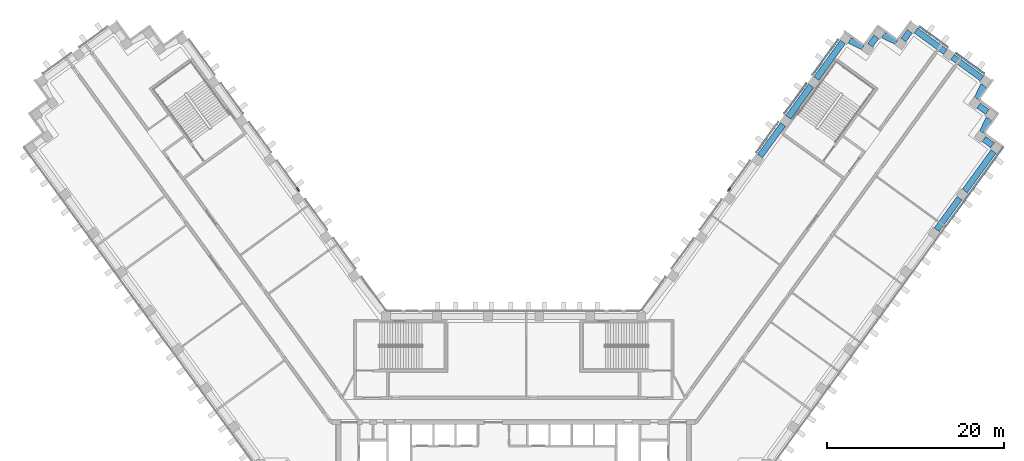
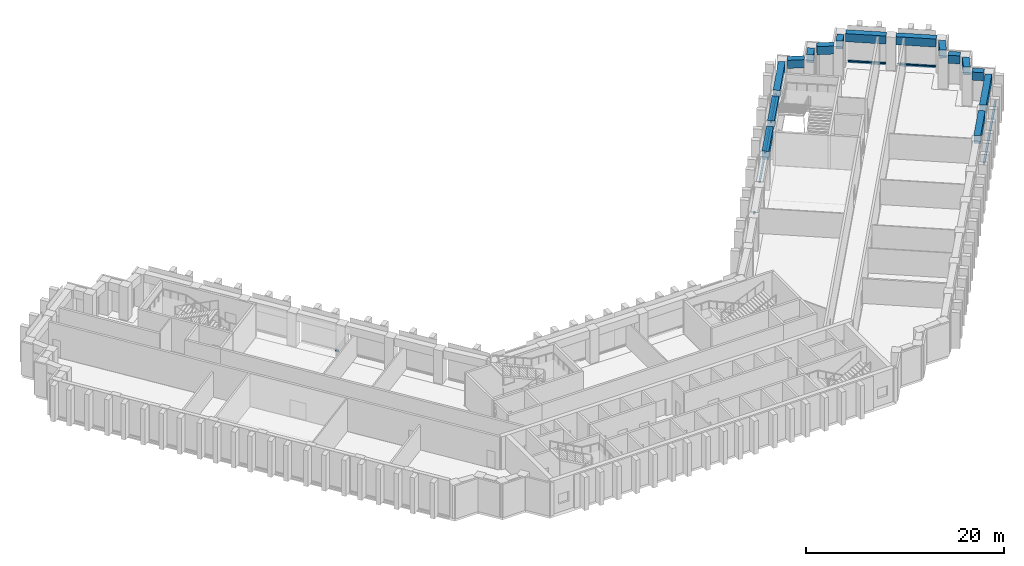
"""IFC4 building model written with IfcOpenShell, lengths in metres."""

from ifc_helpers import new_model, si_unit, direction, frame, origin, origin_2d, place, context, subcontext, project, spatial, rectangle, extrude, material, material_profile, profile_set, type_object, element, aggregate, save


model = new_model("IFC4")

# Units and contexts
model_context = context("Model", 3, precision=1e-05, world=origin(), true_north=direction((0.0, 1.0)))
body_context = subcontext(model_context, "Body", "Model", "MODEL_VIEW")
ifc_project = project(units=[si_unit("LENGTHUNIT", "METRE"), si_unit("AREAUNIT", "SQUARE_METRE"), si_unit("VOLUMEUNIT", "CUBIC_METRE"), si_unit("PLANEANGLEUNIT", "RADIAN"), si_unit("MASSUNIT", "GRAM", prefix="KILO")], contexts=[model_context])

# Site, building, storey
site_placement = place(None, origin())
site = spatial("IfcSite", under=ifc_project, at=site_placement, CompositionType="ELEMENT")
building_placement = place(site_placement, origin())
building = spatial("IfcBuilding", under=site, at=building_placement, Name="Quipu Civic Tower", CompositionType="ELEMENT")
storey_1_placement = place(building_placement, frame((0.0, 0.0, 11.5)))
storey_1 = spatial("IfcBuildingStorey", under=building, at=storey_1_placement, Name="L02", CompositionType="ELEMENT", Elevation=11.5)

# Beams
ifc_material_1 = material(Name="Concrete C50/60", Category="concrete")
ifc_material_profile_1 = material_profile(ifc_material_1, rectangle(XDim=0.699951171875, YDim=1.0, at=origin_2d()), Name="RC700x1000")
ifc_profile_set_1 = profile_set([ifc_material_profile_1], Name="Concrete C50/60")
beam_type = type_object("IfcBeamType", Name="Spandrel beam RC 700x1000 C50/60", PredefinedType="SPANDREL", material=ifc_profile_set_1)
beam_1_placement = place(storey_1_placement, frame((47.71240234375, 20.279296875, 3.60009765625), z_axis=(0.587759228046, 0.809035901457, 0.0), x_axis=(-0.809035901457, 0.587759228046, 0.0)))
element("IfcBeam", 1, at=beam_1_placement, inside=storey_1, type_object=beam_type, Name="Spandrel beam L02 E-OUT-06 to E-OUT-07", PredefinedType="SPANDREL", context=body_context, shape_type="SweptSolid", body=[
    extrude(rectangle(XDim=0.699951171875, YDim=1.0, at=origin_2d()), origin(), (0.0, 0.0, 1.0), 4.400146484375),
])
beam_2_placement = place(storey_1_placement, frame((50.88623046875, 24.64794921875, 3.60009765625), z_axis=(0.587765432916, 0.809031393624, 0.0), x_axis=(-0.809031393624, 0.587765432916, 0.0)))
element("IfcBeam", 2, at=beam_2_placement, inside=storey_1, type_object=beam_type, Name="Spandrel beam L02 E-OUT-07 to T-Eo.0-E50", PredefinedType="SPANDREL", context=body_context, shape_type="SweptSolid", body=[
    extrude(rectangle(XDim=0.699951171875, YDim=1.0, at=origin_2d()), origin(), (0.0, 0.0, 1.0), 5.503662109375),
])
beam_3_placement = place(storey_1_placement, frame((54.0107421875, 29.79931640625, 3.60009765625), z_axis=(-0.808630508091, 0.588316837584, 0.0), x_axis=(-0.588316837584, -0.808630508091, 0.0)))
element("IfcBeam", 3, at=beam_3_placement, inside=storey_1, type_object=beam_type, Name="Spandrel beam L02 T-Eo.0-E50 to T-Eo.1-E50", PredefinedType="SPANDREL", context=body_context, shape_type="SweptSolid", body=[
    extrude(rectangle(XDim=0.699951171875, YDim=1.0, at=origin_2d()), origin(), (0.0, 0.0, 1.0), 1.2001953125),
])
beam_4_placement = place(storey_1_placement, frame((52.85546875, 31.258056640625, 3.60009765625), z_axis=(0.431370473785, 0.902174880135, 0.0), x_axis=(-0.902174880135, 0.431370473785, 0.0)))
element("IfcBeam", 4, at=beam_4_placement, inside=storey_1, type_object=beam_type, Name="Spandrel beam L02 T-Eo.1-E50 to T-Eo.2-E50", PredefinedType="SPANDREL", context=body_context, shape_type="SweptSolid", body=[
    extrude(rectangle(XDim=0.699951171875, YDim=1.0, at=origin_2d()), origin(), (0.0, 0.0, 1.0), 1.727294921875),
])
beam_5_placement = place(storey_1_placement, frame((53.415771484375, 33.569091796875, 3.60009765625), z_axis=(-0.808586856323, 0.588376831446, 0.0), x_axis=(-0.588376831446, -0.808586856323, 0.0)))
element("IfcBeam", 5, at=beam_5_placement, inside=storey_1, type_object=beam_type, Name="Spandrel beam L02 T-Eo.2-E50 to T-Eo.3-E50", PredefinedType="SPANDREL", context=body_context, shape_type="SweptSolid", body=[
    extrude(rectangle(XDim=0.699951171875, YDim=1.0, at=origin_2d()), origin(), (0.0, 0.0, 1.0), 1.202880859375),
])
beam_6_placement = place(storey_1_placement, frame((52.257568359375, 35.0302734375, 3.60009765625), z_axis=(0.430185740912, 0.902740399182, 0.0), x_axis=(-0.902740399182, 0.430185740912, 0.0)))
element("IfcBeam", 6, at=beam_6_placement, inside=storey_1, type_object=beam_type, Name="Spandrel beam L02 T-Eo.3-E50 to T-Eo.4-E50", PredefinedType="SPANDREL", context=body_context, shape_type="SweptSolid", body=[
    extrude(rectangle(XDim=0.699951171875, YDim=1.0, at=origin_2d()), origin(), (0.0, 0.0, 1.0), 1.728759765625),
])
beam_7_placement = place(storey_1_placement, frame((52.8154296875, 37.343994140625, 3.60009765625), z_axis=(-0.808980758408, 0.587835123589, 0.0), x_axis=(-0.587835123589, -0.808980758408, 0.0)))
element("IfcBeam", 7, at=beam_7_placement, inside=storey_1, type_object=beam_type, Name="Spandrel beam L02 T-Eo.4-E50 to TIP-E-01-E50", PredefinedType="SPANDREL", context=body_context, shape_type="SweptSolid", body=[
    extrude(rectangle(XDim=0.699951171875, YDim=1.0, at=origin_2d()), origin(), (0.0, 0.0, 1.0), 4.097900390625),
])
beam_8_placement = place(storey_1_placement, frame((48.69140625, 40.3408203125, 3.60009765625), z_axis=(-0.808983206573, 0.587831754401, 0.0), x_axis=(-0.587831754401, -0.808983206573, 0.0)))
element("IfcBeam", 8, at=beam_8_placement, inside=storey_1, type_object=beam_type, Name="Spandrel beam L02 TIP-E-01-E50 to T-Ei.0-E50", PredefinedType="SPANDREL", context=body_context, shape_type="SweptSolid", body=[
    extrude(rectangle(XDim=0.699951171875, YDim=1.0, at=origin_2d()), origin(), (0.0, 0.0, 1.0), 4.10009765625),
])
beam_9_placement = place(storey_1_placement, frame((44.67578125, 42.640625, 3.60009765625), z_axis=(-0.588461629015, -0.808525145667, 0.0), x_axis=(0.808525145667, -0.588461629015, 0.0)))
element("IfcBeam", 9, at=beam_9_placement, inside=storey_1, type_object=beam_type, Name="Spandrel beam L02 T-Ei.0-E50 to T-Ei.1-E50", PredefinedType="SPANDREL", context=body_context, shape_type="SweptSolid", body=[
    extrude(rectangle(XDim=0.699951171875, YDim=1.0, at=origin_2d()), origin(), (0.0, 0.0, 1.0), 1.201416015625),
])
beam_10_placement = place(storey_1_placement, frame((43.215576171875, 41.48388671875, 3.60009765625), z_axis=(-0.902651065962, 0.430373155666, 0.0), x_axis=(-0.430373155666, -0.902651065962, 0.0)))
element("IfcBeam", 10, at=beam_10_placement, inside=storey_1, type_object=beam_type, Name="Spandrel beam L02 T-Ei.1-E50 to T-Ei.2-E50", PredefinedType="SPANDREL", context=body_context, shape_type="SweptSolid", body=[
    extrude(rectangle(XDim=0.699951171875, YDim=1.0, at=origin_2d()), origin(), (0.0, 0.0, 1.0), 1.724609375),
])
beam_11_placement = place(storey_1_placement, frame((40.90576171875, 42.040771484375, 3.60009765625), z_axis=(-0.588316837584, -0.808630508091, 0.0), x_axis=(0.808630508091, -0.588316837584, 0.0)))
element("IfcBeam", 11, at=beam_11_placement, inside=storey_1, type_object=beam_type, Name="Spandrel beam L02 T-Ei.2-E50 to T-Ei.3-E50", PredefinedType="SPANDREL", context=body_context, shape_type="SweptSolid", body=[
    extrude(rectangle(XDim=0.699951171875, YDim=1.0, at=origin_2d()), origin(), (0.0, 0.0, 1.0), 1.2001953125),
])
beam_12_placement = place(storey_1_placement, frame((39.446533203125, 40.885009765625, 3.60009765625), z_axis=(-0.902482283387, 0.43072697637, 0.0), x_axis=(-0.43072697637, -0.902482283387, 0.0)))
element("IfcBeam", 12, at=beam_12_placement, inside=storey_1, type_object=beam_type, Name="Spandrel beam L02 T-Ei.3-E50 to T-Ei.4-E50", PredefinedType="SPANDREL", context=body_context, shape_type="SweptSolid", body=[
    extrude(rectangle(XDim=0.699951171875, YDim=1.0, at=origin_2d()), origin(), (0.0, 0.0, 1.0), 1.731689453125),
])
beam_13_placement = place(storey_1_placement, frame((37.131103515625, 41.445556640625, 3.60009765625), z_axis=(-0.587747065363, -0.809044737426, 0.0), x_axis=(0.809044737426, -0.587747065363, 0.0)))
element("IfcBeam", 13, at=beam_13_placement, inside=storey_1, type_object=beam_type, Name="Spandrel beam L02 T-Ei.4-E50 to E-IN-06", PredefinedType="SPANDREL", context=body_context, shape_type="SweptSolid", body=[
    extrude(rectangle(XDim=0.699951171875, YDim=1.0, at=origin_2d()), origin(), (0.0, 0.0, 1.0), 5.0947265625),
])
for number, where, z_axis, x_axis, name in (
    (14, (33.549072265625, 36.5146484375, 3.60009765625), (-0.587759228046, -0.809035901457, 0.0), (0.809035901457, -0.587759228046, 0.0), "Spandrel beam L02 E-IN-06 to E-IN-05"),
    (15, (30.375244140625, 32.145751953125, 3.60009765625), (-0.587759228046, -0.809035901457, 0.0), (0.809035901457, -0.587759228046, 0.0), "Spandrel beam L02 E-IN-05 to E-IN-04"),
):
    element("IfcBeam", number, at=place(storey_1_placement, frame(where, z_axis=z_axis, x_axis=x_axis)), inside=storey_1, type_object=beam_type, Name=name, PredefinedType="SPANDREL", context=body_context, shape_type="SweptSolid", body=[
        extrude(rectangle(XDim=0.699951171875, YDim=1.0, at=origin_2d()), origin(), (0.0, 0.0, 1.0), 4.400146484375),
    ])

# Storey
storey_2_placement = place(building_placement, frame((0.0, 0.0, 16.0)))
storey_2 = spatial("IfcBuildingStorey", under=building, at=storey_2_placement, Name="L03", CompositionType="ELEMENT", Elevation=16.0)

# Curtain wall, member
ifc_material_2 = material(Name="Insulated glass unit", Category="glass")
curtain_wall_type_1 = type_object("IfcCurtainWallType", Name="Public services curtain wall CW3", PredefinedType="NOTDEFINED", material=ifc_material_2)
curtain_wall_1_placement = place(storey_2_placement, origin())
curtain_wall_1 = element("IfcCurtainWall", 16, at=curtain_wall_1_placement, inside=storey_2, type_object=curtain_wall_type_1, Name="Public services curtain wall CW3 L02 run 32", PredefinedType="NOTDEFINED")
ifc_material_3 = material(Name="Anodised aluminium", Category="aluminium")
ifc_material_profile_2 = material_profile(ifc_material_3, rectangle(XDim=0.199951171875, YDim=0.139892578125, at=origin_2d()), Name="RECT 200x140")
ifc_profile_set_2 = profile_set([ifc_material_profile_2], Name="Anodised aluminium")
member_type_1 = type_object("IfcMemberType", Name="Transom CW3", PredefinedType="USERDEFINED", material=ifc_profile_set_2)
member_1_placement = place(storey_1_placement, frame((48.746337890625, 20.681640625, 0.139892578125), z_axis=(0.587797192867, 0.809008318905, 0.0), x_axis=(-0.809008318905, 0.587797192867, 0.0)))
member_1 = element("IfcMember", 17, at=member_1_placement, inside=storey_1, type_object=member_type_1, Name="CW3 transom 4.1", ObjectType="TRANSOM", PredefinedType="USERDEFINED", context=body_context, shape_type="SweptSolid", body=[
    extrude(rectangle(XDim=0.199951171875, YDim=0.139892578125, at=origin_2d()), origin(), (0.0, 0.0, 1.0), 10.971435546875),
])
aggregate(curtain_wall_1, [member_1])

curtain_wall_2_placement = place(storey_2_placement, origin())
curtain_wall_2 = element("IfcCurtainWall", 18, at=curtain_wall_2_placement, inside=storey_2, type_object=curtain_wall_type_1, Name="Public services curtain wall CW3 L02 run 37", PredefinedType="NOTDEFINED")
member_2_placement = place(storey_1_placement, frame((53.087158203125, 37.887939453125, 0.139892578125), z_axis=(-0.809009543625, 0.587795507233, 0.0), x_axis=(-0.587795507233, -0.809009543625, 0.0)))
member_2 = element("IfcMember", 19, at=member_2_placement, inside=storey_1, type_object=member_type_1, Name="CW3 transom 1.1", ObjectType="TRANSOM", PredefinedType="USERDEFINED", context=body_context, shape_type="SweptSolid", body=[
    extrude(rectangle(XDim=0.199951171875, YDim=0.139892578125, at=origin_2d()), origin(), (0.0, 0.0, 1.0), 3.89794921875),
])
aggregate(curtain_wall_2, [member_2])

curtain_wall_3_placement = place(storey_2_placement, origin())
curtain_wall_3 = element("IfcCurtainWall", 20, at=curtain_wall_3_placement, inside=storey_2, type_object=curtain_wall_type_1, Name="Public services curtain wall CW3 L02 run 38", PredefinedType="NOTDEFINED")
member_3_placement = place(storey_1_placement, frame((48.962646484375, 40.884521484375, 0.139892578125), z_axis=(-0.809041868783, 0.587751014083, 0.0), x_axis=(-0.587751014083, -0.809041868783, 0.0)))
member_3 = element("IfcMember", 21, at=member_3_placement, inside=storey_1, type_object=member_type_1, Name="CW3 transom 1.1", ObjectType="TRANSOM", PredefinedType="USERDEFINED", context=body_context, shape_type="SweptSolid", body=[
    extrude(rectangle(XDim=0.199951171875, YDim=0.139892578125, at=origin_2d()), origin(), (0.0, 0.0, 1.0), 3.89990234375),
])
aggregate(curtain_wall_3, [member_3])

curtain_wall_4_placement = place(storey_2_placement, origin())
curtain_wall_4 = element("IfcCurtainWall", 22, at=curtain_wall_4_placement, inside=storey_2, type_object=curtain_wall_type_1, Name="Public services curtain wall CW3 L02 run 43", PredefinedType="NOTDEFINED")
member_4_placement = place(storey_1_placement, frame((36.588134765625, 41.71630859375, 0.139892578125), z_axis=(-0.587792001702, -0.809012090599, 0.0), x_axis=(0.809012090599, -0.587792001702, 0.0)))
member_4 = element("IfcMember", 23, at=member_4_placement, inside=storey_1, type_object=member_type_1, Name="CW3 transom 1.1", ObjectType="TRANSOM", PredefinedType="USERDEFINED", context=body_context, shape_type="SweptSolid", body=[
    extrude(rectangle(XDim=0.199951171875, YDim=0.139892578125, at=origin_2d()), origin(), (0.0, 0.0, 1.0), 4.89453125),
])
aggregate(curtain_wall_4, [member_4])

curtain_wall_5_placement = place(storey_2_placement, origin())
curtain_wall_5 = element("IfcCurtainWall", 24, at=curtain_wall_5_placement, inside=storey_2, type_object=curtain_wall_type_1, Name="Public services curtain wall CW3 L02 run 44", PredefinedType="NOTDEFINED")
member_5_placement = place(storey_1_placement, frame((33.005859375, 36.78564453125, 0.139892578125), z_axis=(-0.587784533062, -0.809017516926, 0.0), x_axis=(0.809017516926, -0.587784533062, 0.0)))
member_5 = element("IfcMember", 25, at=member_5_placement, inside=storey_1, type_object=member_type_1, Name="CW3 transom 1.1", ObjectType="TRANSOM", PredefinedType="USERDEFINED", context=body_context, shape_type="SweptSolid", body=[
    extrude(rectangle(XDim=0.199951171875, YDim=0.139892578125, at=origin_2d()), origin(), (0.0, 0.0, 1.0), 4.2001953125),
])
aggregate(curtain_wall_5, [member_5])

curtain_wall_6_placement = place(storey_2_placement, origin())
curtain_wall_6 = element("IfcCurtainWall", 26, at=curtain_wall_6_placement, inside=storey_2, type_object=curtain_wall_type_1, Name="Public services curtain wall CW3 L02 run 45", PredefinedType="NOTDEFINED")
member_6_placement = place(storey_1_placement, frame((29.831787109375, 32.4169921875, 0.139892578125), z_axis=(-0.587746486169, -0.809045158194, 0.0), x_axis=(0.809045158194, -0.587746486169, 0.0)))
member_6 = element("IfcMember", 27, at=member_6_placement, inside=storey_1, type_object=member_type_1, Name="CW3 transom 1.1", ObjectType="TRANSOM", PredefinedType="USERDEFINED", context=body_context, shape_type="SweptSolid", body=[
    extrude(rectangle(XDim=0.199951171875, YDim=0.139892578125, at=origin_2d()), origin(), (0.0, 0.0, 1.0), 4.199951171875),
])
aggregate(curtain_wall_6, [member_6])

# Storey
storey_3_placement = place(building_placement, frame((0.0, 0.0, 6.0)))
storey_3 = spatial("IfcBuildingStorey", under=building, at=storey_3_placement, Name="L01", CompositionType="ELEMENT", Elevation=6.0)

# Curtain wall, member
ifc_material_4 = material(Name="Insulated glass unit", Category="glass")
curtain_wall_type_2 = type_object("IfcCurtainWallType", Name="Council chamber curtain wall CW4", PredefinedType="NOTDEFINED", material=ifc_material_4)
curtain_wall_7_placement = place(storey_3_placement, origin())
curtain_wall_7 = element("IfcCurtainWall", 28, at=curtain_wall_7_placement, inside=storey_3, type_object=curtain_wall_type_2, Name="Council chamber curtain wall CW4 L01 run 4", PredefinedType="NOTDEFINED")
ifc_material_5 = material(Name="Anodised aluminium", Category="aluminium")
ifc_material_profile_3 = material_profile(ifc_material_5, rectangle(XDim=0.199951171875, YDim=0.199951171875, at=origin_2d()), Name="RECT 200x200")
ifc_profile_set_3 = profile_set([ifc_material_profile_3], Name="Anodised aluminium")
member_type_2 = type_object("IfcMemberType", Name="Transom CW4", PredefinedType="USERDEFINED", material=ifc_profile_set_3)
member_7_placement = place(storey_1_placement, frame((-24.224365234375, 24.69873046875, 0.0), z_axis=(-0.587841905749, 0.808975830199, 0.0), x_axis=(-0.808975830199, -0.587841905749, 0.0)))
member_7 = element("IfcMember", 29, at=member_7_placement, inside=storey_1, type_object=member_type_2, Name="CW4 transom 1.3", ObjectType="TRANSOM", PredefinedType="USERDEFINED", context=body_context, shape_type="SweptSolid", body=[
    extrude(rectangle(XDim=0.199951171875, YDim=0.199951171875, at=origin_2d()), origin(), (0.0, 0.0, 1.0), 0.352294921875),
])
aggregate(curtain_wall_7, [member_7])

curtain_wall_8_placement = place(storey_3_placement, origin())
curtain_wall_8 = element("IfcCurtainWall", 30, at=curtain_wall_8_placement, inside=storey_3, type_object=curtain_wall_type_2, Name="Council chamber curtain wall CW4 L01 run 34", PredefinedType="NOTDEFINED")
member_8_placement = place(storey_1_placement, frame((48.76416015625, 20.705810546875, 0.0), z_axis=(0.587779422244, 0.809021230121, 0.0), x_axis=(-0.809021230121, 0.587779422244, 0.0)))
member_8 = element("IfcMember", 31, at=member_8_placement, inside=storey_1, type_object=member_type_2, Name="CW4 transom 4.3", ObjectType="TRANSOM", PredefinedType="USERDEFINED", context=body_context, shape_type="SweptSolid", body=[
    extrude(rectangle(XDim=0.199951171875, YDim=0.199951171875, at=origin_2d()), origin(), (0.0, 0.0, 1.0), 10.881591796875),
])
aggregate(curtain_wall_8, [member_8])

curtain_wall_9_placement = place(storey_3_placement, origin())
curtain_wall_9 = element("IfcCurtainWall", 32, at=curtain_wall_9_placement, inside=storey_3, type_object=curtain_wall_type_2, Name="Council chamber curtain wall CW4 L01 run 39", PredefinedType="NOTDEFINED")
member_9_placement = place(storey_1_placement, frame((53.03857421875, 37.923095703125, 0.0), z_axis=(-0.809026595261, 0.587772037579, 0.0), x_axis=(-0.587772037579, -0.809026595261, 0.0)))
member_9 = element("IfcMember", 33, at=member_9_placement, inside=storey_1, type_object=member_type_2, Name="CW4 transom 1.3", ObjectType="TRANSOM", PredefinedType="USERDEFINED", context=body_context, shape_type="SweptSolid", body=[
    extrude(rectangle(XDim=0.199951171875, YDim=0.199951171875, at=origin_2d()), origin(), (0.0, 0.0, 1.0), 3.778076171875),
])
aggregate(curtain_wall_9, [member_9])

curtain_wall_10_placement = place(storey_3_placement, origin())
curtain_wall_10 = element("IfcCurtainWall", 34, at=curtain_wall_10_placement, inside=storey_3, type_object=curtain_wall_type_2, Name="Council chamber curtain wall CW4 L01 run 40", PredefinedType="NOTDEFINED")
member_10_placement = place(storey_1_placement, frame((48.9140625, 40.919677734375, 0.0), z_axis=(-0.809006911497, 0.587799129933, 0.0), x_axis=(-0.587799129933, -0.809006911497, 0.0)))
member_10 = element("IfcMember", 35, at=member_10_placement, inside=storey_1, type_object=member_type_2, Name="CW4 transom 1.3", ObjectType="TRANSOM", PredefinedType="USERDEFINED", context=body_context, shape_type="SweptSolid", body=[
    extrude(rectangle(XDim=0.199951171875, YDim=0.199951171875, at=origin_2d()), origin(), (0.0, 0.0, 1.0), 3.780029296875),
])
aggregate(curtain_wall_10, [member_10])

curtain_wall_11_placement = place(storey_3_placement, origin())
curtain_wall_11 = element("IfcCurtainWall", 36, at=curtain_wall_11_placement, inside=storey_3, type_object=curtain_wall_type_2, Name="Council chamber curtain wall CW4 L01 run 45", PredefinedType="NOTDEFINED")
member_11_placement = place(storey_1_placement, frame((36.552978515625, 41.667724609375, 0.0), z_axis=(-0.587773342072, -0.809025647522, 0.0), x_axis=(0.809025647522, -0.587773342072, 0.0)))
member_11 = element("IfcMember", 37, at=member_11_placement, inside=storey_1, type_object=member_type_2, Name="CW4 transom 1.3", ObjectType="TRANSOM", PredefinedType="USERDEFINED", context=body_context, shape_type="SweptSolid", body=[
    extrude(rectangle(XDim=0.199951171875, YDim=0.199951171875, at=origin_2d()), origin(), (0.0, 0.0, 1.0), 4.774658203125),
])
aggregate(curtain_wall_11, [member_11])

curtain_wall_12_placement = place(storey_3_placement, origin())
curtain_wall_12 = element("IfcCurtainWall", 38, at=curtain_wall_12_placement, inside=storey_3, type_object=curtain_wall_type_2, Name="Council chamber curtain wall CW4 L01 run 46", PredefinedType="NOTDEFINED")
member_12_placement = place(storey_1_placement, frame((32.970703125, 36.737060546875, 0.0), z_axis=(-0.587790931986, -0.809012867805, 0.0), x_axis=(0.809012867805, -0.587790931986, 0.0)))
member_12 = element("IfcMember", 39, at=member_12_placement, inside=storey_1, type_object=member_type_2, Name="CW4 transom 1.3", ObjectType="TRANSOM", PredefinedType="USERDEFINED", context=body_context, shape_type="SweptSolid", body=[
    extrude(rectangle(XDim=0.199951171875, YDim=0.199951171875, at=origin_2d()), origin(), (0.0, 0.0, 1.0), 4.080078125),
])
aggregate(curtain_wall_12, [member_12])

curtain_wall_13_placement = place(storey_3_placement, origin())
curtain_wall_13 = element("IfcCurtainWall", 40, at=curtain_wall_13_placement, inside=storey_3, type_object=curtain_wall_type_2, Name="Council chamber curtain wall CW4 L01 run 50", PredefinedType="NOTDEFINED")
member_13_placement = place(storey_1_placement, frame((24.431396484375, 24.983642578125, 0.0), z_axis=(-0.587841905749, -0.808975830199, 0.0), x_axis=(0.808975830199, -0.587841905749, 0.0)))
member_13 = element("IfcMember", 41, at=member_13_placement, inside=storey_1, type_object=member_type_2, Name="CW4 transom 1.3", ObjectType="TRANSOM", PredefinedType="USERDEFINED", context=body_context, shape_type="SweptSolid", body=[
    extrude(rectangle(XDim=0.199951171875, YDim=0.199951171875, at=origin_2d()), origin(), (0.0, 0.0, 1.0), 0.352294921875),
])
aggregate(curtain_wall_13, [member_13])

save(model, "model.ifc")
